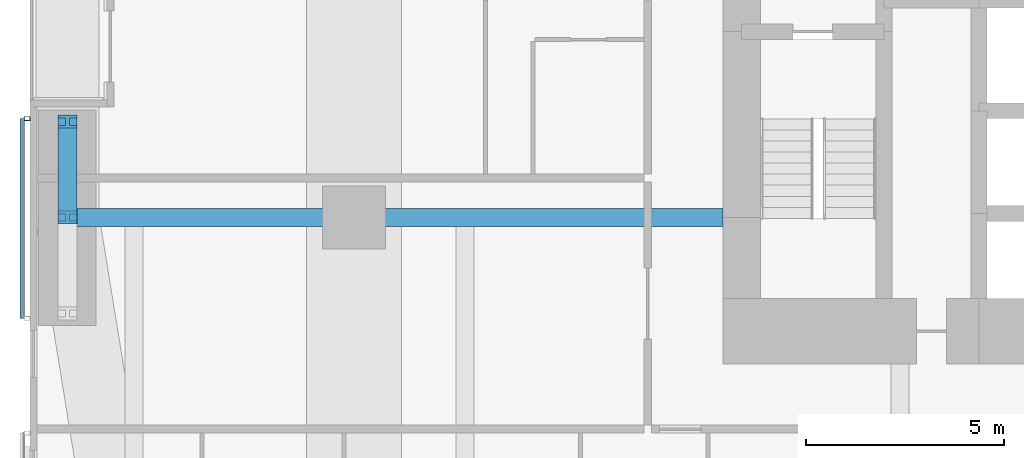
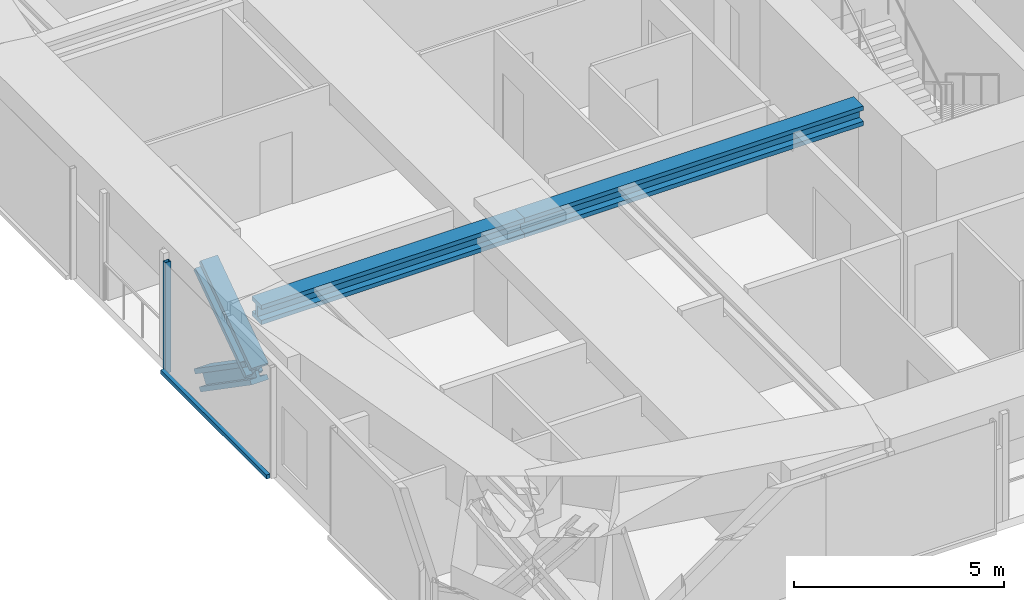
# One storey, part 3 of 23: 4 members, 2 beams, 1 element without a shape of its own.
"""IFC4 building model written with IfcOpenShell, lengths in metres."""

from ifc_helpers import new_model, si_unit, direction, frame, origin, origin_2d, place, context, subcontext, project, spatial, rectangle, hollow_rectangle, i_section, extrude, material, material_profile, profile_set, type_object, element, aggregate, save


model = new_model("IFC4")

# Units and contexts
model_context = context("Model", 3, precision=1e-05, world=origin(), true_north=direction((0.0, 1.0)))
body_context = subcontext(model_context, "Body", "Model", "MODEL_VIEW")
ifc_project = project(units=[si_unit("LENGTHUNIT", "METRE"), si_unit("AREAUNIT", "SQUARE_METRE"), si_unit("VOLUMEUNIT", "CUBIC_METRE"), si_unit("PLANEANGLEUNIT", "RADIAN"), si_unit("MASSUNIT", "GRAM", prefix="KILO")], contexts=[model_context])

# Site, building, storey
site_placement = place(None, origin())
site = spatial("IfcSite", under=ifc_project, at=site_placement, CompositionType="ELEMENT")
building_placement = place(site_placement, origin())
building = spatial("IfcBuilding", under=site, at=building_placement, Name="Jalousie Tower", CompositionType="ELEMENT")
storey_placement = place(building_placement, frame((0.0, 0.0, 41.10009765625)))
storey = spatial("IfcBuildingStorey", under=building, at=storey_placement, Name="L10", CompositionType="ELEMENT", Elevation=41.10009765625)

# Beams
ifc_material_1 = material(Name="Steel ASTM A992 Grade 50", Category="steel")
ifc_material_profile_1 = material_profile(ifc_material_1, i_section(OverallWidth=0.45458984375, OverallDepth=0.569091796875, WebThickness=0.077880859375, FlangeThickness=0.124755859375, at=origin_2d()), Name="W14X730")
ifc_profile_set_1 = profile_set([ifc_material_profile_1], Name="Steel ASTM A992 Grade 50")
beam_type = type_object("IfcBeamType", Name="LEAN COLLECTOR W14X730", PredefinedType="BEAM", material=ifc_profile_set_1)
beam_1_placement = place(storey_placement, frame((2.949951171875, 13.0, 2.825439453125), z_axis=(1.0, 0.0, 0.0), x_axis=(0.0, 1.0, 0.0)))
element("IfcBeam", 1, at=beam_1_placement, inside=storey, type_object=beam_type, Name="Lean collector under L11", PredefinedType="BEAM", context=body_context, shape_type="SweptSolid", body=[
    extrude(i_section(OverallWidth=0.45458984375, OverallDepth=0.569091796875, WebThickness=0.077880859375, FlangeThickness=0.124755859375, at=origin_2d()), origin(), (0.0, 0.0, 1.0), 7.25),
])
beam_2_placement = place(storey_placement, frame((10.199951171875, 13.0, 2.825439453125), z_axis=(1.0, 0.0, 0.0), x_axis=(0.0, 1.0, 0.0)))
element("IfcBeam", 2, at=beam_2_placement, inside=storey, type_object=beam_type, Name="Lean collector under L11", PredefinedType="BEAM", context=body_context, shape_type="SweptSolid", body=[
    extrude(i_section(OverallWidth=0.45458984375, OverallDepth=0.569091796875, WebThickness=0.077880859375, FlangeThickness=0.124755859375, at=origin_2d()), origin(), (0.0, 0.0, 1.0), 9.324951171875),
])

# Members
ifc_material_2 = material(Name="Steel ASTM A992 Grade 50", Category="steel")
ifc_material_profile_2 = material_profile(ifc_material_2, i_section(OverallWidth=0.472412109375, OverallDepth=0.5791015625, WebThickness=0.094970703125, FlangeThickness=0.1298828125, at=origin_2d()), Name="W14X808")
ifc_profile_set_2 = profile_set([ifc_material_profile_2], Name="Steel ASTM A992 Grade 50")
member_type_1 = type_object("IfcMemberType", Name="PERIMETER BRACE W14X808", PredefinedType="BRACE", material=ifc_profile_set_2)
for number, where, z_axis, x_axis, name in (
    (3, (2.949951171875, 13.0, 1.074951171875), (0.0, 0.822800062329, 0.568330940062), (-1.0, 0.0, 0.0), "Perimeter brace 14 L10 part 2"),
    (4, (2.949951171875, 15.425048828125, -0.60009765625), (0.0, -0.822800062329, 0.568330940062), (1.0, 0.0, 0.0), "Perimeter brace 14 L10 part 3"),
):
    element("IfcMember", number, at=place(storey_placement, frame(where, z_axis=z_axis, x_axis=x_axis)), inside=storey, type_object=member_type_1, Name=name, PredefinedType="BRACE", context=body_context, shape_type="SweptSolid", body=[
        extrude(i_section(OverallWidth=0.472412109375, OverallDepth=0.5791015625, WebThickness=0.094970703125, FlangeThickness=0.1298828125, at=origin_2d()), origin(), (0.0, 0.0, 1.0), 2.947265625),
    ])

# Curtain wall, members
ifc_material_3 = material(Name="Perforated aluminium sheet", Category="aluminium")
curtain_wall_type = type_object("IfcCurtainWallType", Name="SOLAR SCREEN SS-1", PredefinedType="USERDEFINED", material=ifc_material_3)
curtain_wall_placement = place(storey_placement, origin())
curtain_wall = element("IfcCurtainWall", 5, at=curtain_wall_placement, inside=storey, type_object=curtain_wall_type, Name="Solar screen L10", ObjectType="SOLAR SCREEN SS-1", PredefinedType="USERDEFINED")
ifc_material_4 = material(Name="Steel ASTM A500 Grade C", Category="steel")
ifc_material_profile_3 = material_profile(ifc_material_4, hollow_rectangle(XDim=0.1015625, YDim=0.15234375, WallThickness=0.00634765625, at=origin_2d()), Name="HSS6X4X1/4")
ifc_profile_set_3 = profile_set([ifc_material_profile_3], Name="Steel ASTM A500 Grade C")
member_type_2 = type_object("IfcMemberType", Name="SOLAR SCREEN SS-1 MULLION", PredefinedType="MULLION", material=ifc_profile_set_3)
member_1_placement = place(storey_placement, frame((1.9287109375, 15.5, -0.1201171875), z_axis=(0.0, 0.0, 1.0), x_axis=(0.0, -1.0, 0.0)))
member_1 = element("IfcMember", 6, at=member_1_placement, type_object=member_type_2, Name="SS1 post 1", PredefinedType="MULLION", context=body_context, shape_type="SweptSolid", body=[
    extrude(hollow_rectangle(XDim=0.1015625, YDim=0.15234375, WallThickness=0.00634765625, at=origin_2d()), origin(), (0.0, 0.0, 1.0), 3.22998046875),
])
ifc_material_5 = material(Name="Extruded aluminium screen rail", Category="aluminium")
ifc_material_profile_4 = material_profile(ifc_material_5, rectangle(XDim=0.1015625, YDim=0.1201171875, at=origin_2d()), Name="RAIL 102x120")
ifc_profile_set_4 = profile_set([ifc_material_profile_4], Name="Extruded aluminium screen rail")
member_type_3 = type_object("IfcMemberType", Name="SOLAR SCREEN SS-1 TRANSOM", PredefinedType="USERDEFINED", material=ifc_profile_set_4)
member_2_placement = place(storey_placement, frame((1.8017578125, 15.5, -0.06005859375), z_axis=(0.0, -1.0, 0.0), x_axis=(1.0, 0.0, 0.0)))
member_2 = element("IfcMember", 7, at=member_2_placement, type_object=member_type_3, Name="SS1 rail", ObjectType="TRANSOM", PredefinedType="USERDEFINED", context=body_context, shape_type="SweptSolid", body=[
    extrude(rectangle(XDim=0.1015625, YDim=0.1201171875, at=origin_2d()), origin(), (0.0, 0.0, 1.0), 5.050048828125),
])
aggregate(curtain_wall, [member_1, member_2])

save(model, "model.ifc")
